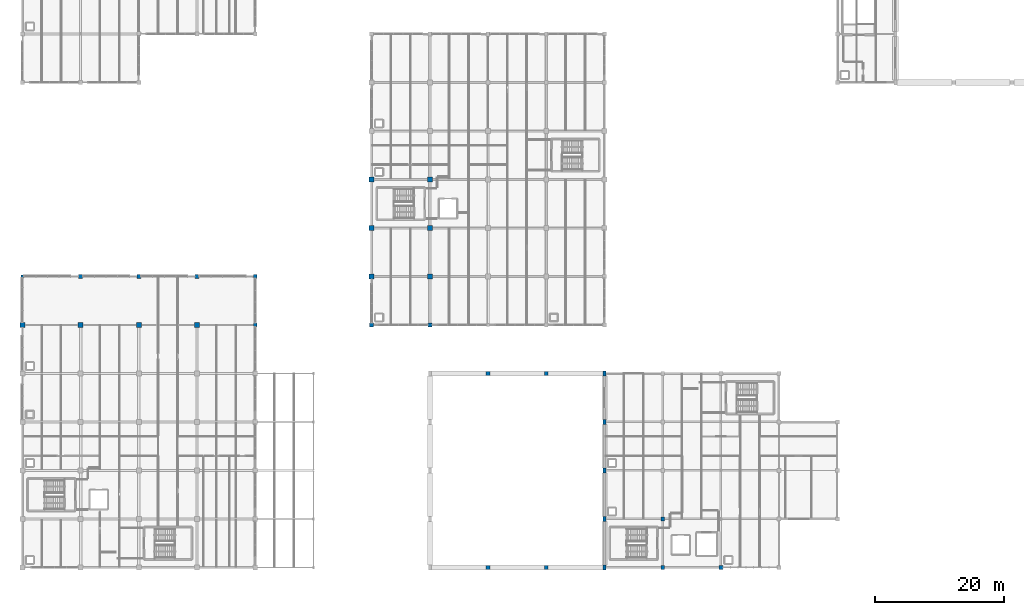
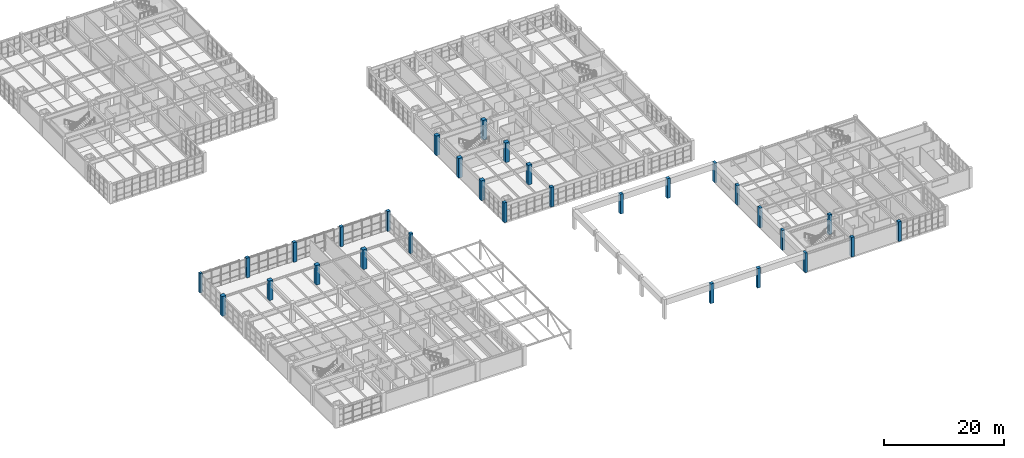
# One storey, part 4 of 76: 30 columns.
"""IFC4 building model written with IfcOpenShell, lengths in metres."""

from ifc_helpers import new_model, si_unit, direction, frame, origin, origin_2d, place, context, subcontext, project, spatial, rectangle, extrude, material, material_profile, profile_set, type_object, element, save


model = new_model("IFC4")

# Units and contexts
model_context = context("Model", 3, precision=1e-05, world=origin(), true_north=direction((0.0, 1.0)))
body_context = subcontext(model_context, "Body", "Model", "MODEL_VIEW")
ifc_project = project(units=[si_unit("LENGTHUNIT", "METRE"), si_unit("AREAUNIT", "SQUARE_METRE"), si_unit("VOLUMEUNIT", "CUBIC_METRE"), si_unit("PLANEANGLEUNIT", "RADIAN"), si_unit("MASSUNIT", "GRAM", prefix="KILO")], contexts=[model_context])

# Site, building, storey
site_placement = place(None, origin())
site = spatial("IfcSite", under=ifc_project, at=site_placement, CompositionType="ELEMENT")
building_placement = place(site_placement, origin())
building = spatial("IfcBuilding", under=site, at=building_placement, Name="Marnridge Secondary College", CompositionType="ELEMENT")
storey_placement = place(building_placement, frame((0.0, 0.0, 4.5)))
storey = spatial("IfcBuildingStorey", under=building, at=storey_placement, Name="L01", CompositionType="ELEMENT", Elevation=4.5)

# Columns
ifc_material_1 = material(Name="Concrete C40/50 (AS 3600 N40, 40 MPa)", Category="concrete")
ifc_material_profile_1 = material_profile(ifc_material_1, rectangle(XDim=0.449951171875, YDim=0.449951171875, at=origin_2d()), Name="RC 450x450")
ifc_profile_set_1 = profile_set([ifc_material_profile_1], Name="Concrete C40/50 (AS 3600 N40, 40 MPa)")
column_type_1 = type_object("IfcColumnType", Name="CL-RC450-EXT", PredefinedType="COLUMN", material=ifc_profile_set_1)
column_1_placement = place(storey_placement, frame((0.0, 45.0, 0.0), z_axis=(0.0, 0.0, 1.0), x_axis=(1.0, 0.0, 0.0)))
element("IfcColumn", 1, at=column_1_placement, inside=storey, type_object=column_type_1, Name="Column C-L01-0280", PredefinedType="COLUMN", context=body_context, shape_type="SweptSolid", body=[
    extrude(rectangle(XDim=0.449951171875, YDim=0.449951171875, at=origin_2d()), origin(), (0.0, 0.0, 1.0), 4.0),
])
ifc_material_2 = material(Name="Concrete C40/50 (AS 3600 N40, 40 MPa)", Category="concrete")
ifc_material_profile_2 = material_profile(ifc_material_2, rectangle(XDim=0.449951171875, YDim=0.75, at=origin_2d()), Name="RC 450x750")
ifc_profile_set_2 = profile_set([ifc_material_profile_2], Name="Concrete C40/50 (AS 3600 N40, 40 MPa)")
column_type_2 = type_object("IfcColumnType", Name="CL-RC4575-EXT", PredefinedType="COLUMN", material=ifc_profile_set_2)
for number, where, z_axis, x_axis, name in (
    (2, (90.0, 0.0, 0.0), (0.0, 0.0, 1.0), (1.0, 0.0, 0.0), "Column C-L01-0037"),
    (3, (90.0, 7.5, 0.0), (0.0, 0.0, 1.0), (1.0, 0.0, 0.0), "Column C-L01-0085"),
    (4, (90.0, 15.0, 0.0), (0.0, 0.0, 1.0), (1.0, 0.0, 0.0), "Column C-L01-0130"),
    (5, (90.0, 22.5, 0.0), (0.0, 0.0, 1.0), (1.0, 0.0, 0.0), "Column C-L01-0175"),
    (6, (90.0, 30.0, 0.0), (0.0, 0.0, 1.0), (1.0, 0.0, 0.0), "Column C-L01-0224"),
):
    element("IfcColumn", number, at=place(storey_placement, frame(where, z_axis=z_axis, x_axis=x_axis)), inside=storey, type_object=column_type_2, Name=name, PredefinedType="COLUMN", context=body_context, shape_type="SweptSolid", body=[
        extrude(rectangle(XDim=0.449951171875, YDim=0.75, at=origin_2d()), origin(), (0.0, 0.0, 1.0), 4.0),
    ])
ifc_material_3 = material(Name="Concrete C40/50 (AS 3600 N40, 40 MPa)", Category="concrete")
ifc_material_profile_3 = material_profile(ifc_material_3, rectangle(XDim=0.60009765625, YDim=0.60009765625, at=origin_2d()), Name="RC 600x600")
ifc_profile_set_3 = profile_set([ifc_material_profile_3], Name="Concrete C40/50 (AS 3600 N40, 40 MPa)")
column_type_3 = type_object("IfcColumnType", Name="CL-RC600-EXT", PredefinedType="COLUMN", material=ifc_profile_set_3)
for number, where, z_axis, x_axis, name in (
    (7, (72.0, 0.0, 0.0), (0.0, 0.0, 1.0), (1.0, 0.0, 0.0), "Column C-L01-0033"),
    (8, (81.0, 0.0, 0.0), (0.0, 0.0, 1.0), (1.0, 0.0, 0.0), "Column C-L01-0035"),
    (9, (99.0, 0.0, 0.0), (0.0, 0.0, 1.0), (1.0, 0.0, 0.0), "Column C-L01-0040"),
    (10, (108.0, 0.0, 0.0), (0.0, 0.0, 1.0), (1.0, 0.0, 0.0), "Column C-L01-0043"),
    (11, (72.0, 30.0, 0.0), (0.0, 0.0, 1.0), (1.0, 0.0, 0.0), "Column C-L01-0220"),
    (12, (81.0, 30.0, 0.0), (0.0, 0.0, 1.0), (1.0, 0.0, 0.0), "Column C-L01-0222"),
    (13, (36.0, 37.5, 0.0), (0.0, 0.0, 1.0), (1.0, 0.0, 0.0), "Column C-L01-0261"),
    (14, (54.0, 37.5, 0.0), (0.0, 0.0, 1.0), (1.0, 0.0, 0.0), "Column C-L01-0265"),
    (15, (63.0, 37.5, 0.0), (0.0, 0.0, 1.0), (1.0, 0.0, 0.0), "Column C-L01-0268"),
    (16, (9.0, 45.0, 0.0), (0.0, 0.0, 1.0), (1.0, 0.0, 0.0), "Column C-L01-0282"),
    (17, (18.0, 45.0, 0.0), (0.0, 0.0, 1.0), (1.0, 0.0, 0.0), "Column C-L01-0284"),
    (18, (27.0, 45.0, 0.0), (0.0, 0.0, 1.0), (1.0, 0.0, 0.0), "Column C-L01-0286"),
    (19, (36.0, 45.0, 0.0), (0.0, 0.0, 1.0), (1.0, 0.0, 0.0), "Column C-L01-0288"),
):
    element("IfcColumn", number, at=place(storey_placement, frame(where, z_axis=z_axis, x_axis=x_axis)), inside=storey, type_object=column_type_3, Name=name, PredefinedType="COLUMN", context=body_context, shape_type="SweptSolid", body=[
        extrude(rectangle(XDim=0.60009765625, YDim=0.60009765625, at=origin_2d()), origin(), (0.0, 0.0, 1.0), 4.0),
    ])
ifc_material_4 = material(Name="Concrete C40/50 (AS 3600 N40, 40 MPa)", Category="concrete")
ifc_material_profile_4 = material_profile(ifc_material_4, rectangle(XDim=0.60009765625, YDim=0.60009765625, at=origin_2d()), Name="RC 600x600")
ifc_profile_set_4 = profile_set([ifc_material_profile_4], Name="Concrete C40/50 (AS 3600 N40, 40 MPa)")
column_type_4 = type_object("IfcColumnType", Name="CL-RC600-INT", PredefinedType="COLUMN", material=ifc_profile_set_4)
column_2_placement = place(storey_placement, frame((99.0, 7.5, 0.0), z_axis=(0.0, 0.0, 1.0), x_axis=(1.0, 0.0, 0.0)))
element("IfcColumn", 20, at=column_2_placement, inside=storey, type_object=column_type_4, Name="Column C-L01-0088", PredefinedType="COLUMN", context=body_context, shape_type="SweptSolid", body=[
    extrude(rectangle(XDim=0.60009765625, YDim=0.60009765625, at=origin_2d()), origin(), (0.0, 0.0, 1.0), 4.0),
])
ifc_material_5 = material(Name="Concrete C50/60 (AS 3600 N50, 50 MPa)", Category="concrete")
ifc_material_profile_5 = material_profile(ifc_material_5, rectangle(XDim=0.75, YDim=0.75, at=origin_2d()), Name="RC 750x750")
ifc_profile_set_5 = profile_set([ifc_material_profile_5], Name="Concrete C50/60 (AS 3600 N50, 50 MPa)")
column_type_5 = type_object("IfcColumnType", Name="CL-RC750-EXT", PredefinedType="COLUMN", material=ifc_profile_set_5)
for number, where, z_axis, x_axis, name in (
    (21, (0.0, 37.5, 0.0), (0.0, 0.0, 1.0), (1.0, 0.0, 0.0), "Column C-L01-0241"),
    (22, (54.0, 45.0, 0.0), (0.0, 0.0, 1.0), (1.0, 0.0, 0.0), "Column C-L01-0291"),
    (23, (63.0, 45.0, 0.0), (0.0, 0.0, 1.0), (1.0, 0.0, 0.0), "Column C-L01-0296"),
    (24, (54.0, 52.5, 0.0), (0.0, 0.0, 1.0), (1.0, 0.0, 0.0), "Column C-L01-0317"),
    (25, (63.0, 52.5, 0.0), (0.0, 0.0, 1.0), (1.0, 0.0, 0.0), "Column C-L01-0324"),
    (26, (54.0, 60.0, 0.0), (0.0, 0.0, 1.0), (1.0, 0.0, 0.0), "Column C-L01-0352"),
):
    element("IfcColumn", number, at=place(storey_placement, frame(where, z_axis=z_axis, x_axis=x_axis)), inside=storey, type_object=column_type_5, Name=name, PredefinedType="COLUMN", context=body_context, shape_type="SweptSolid", body=[
        extrude(rectangle(XDim=0.75, YDim=0.75, at=origin_2d()), origin(), (0.0, 0.0, 1.0), 4.0),
    ])
ifc_material_6 = material(Name="Concrete C50/60 (AS 3600 N50, 50 MPa)", Category="concrete")
ifc_material_profile_6 = material_profile(ifc_material_6, rectangle(XDim=0.75, YDim=0.75, at=origin_2d()), Name="RC 750x750")
ifc_profile_set_6 = profile_set([ifc_material_profile_6], Name="Concrete C50/60 (AS 3600 N50, 50 MPa)")
column_type_6 = type_object("IfcColumnType", Name="CL-RC750-INT", PredefinedType="COLUMN", material=ifc_profile_set_6)
for number, where, z_axis, x_axis, name in (
    (27, (9.0, 37.5, 0.0), (0.0, 0.0, 1.0), (1.0, 0.0, 0.0), "Column C-L01-0246"),
    (28, (18.0, 37.5, 0.0), (0.0, 0.0, 1.0), (1.0, 0.0, 0.0), "Column C-L01-0251"),
    (29, (27.0, 37.5, 0.0), (0.0, 0.0, 1.0), (1.0, 0.0, 0.0), "Column C-L01-0256"),
    (30, (63.0, 60.0, 0.0), (0.0, 0.0, 1.0), (1.0, 0.0, 0.0), "Column C-L01-0359"),
):
    element("IfcColumn", number, at=place(storey_placement, frame(where, z_axis=z_axis, x_axis=x_axis)), inside=storey, type_object=column_type_6, Name=name, PredefinedType="COLUMN", context=body_context, shape_type="SweptSolid", body=[
        extrude(rectangle(XDim=0.75, YDim=0.75, at=origin_2d()), origin(), (0.0, 0.0, 1.0), 4.0),
    ])

save(model, "model.ifc")
